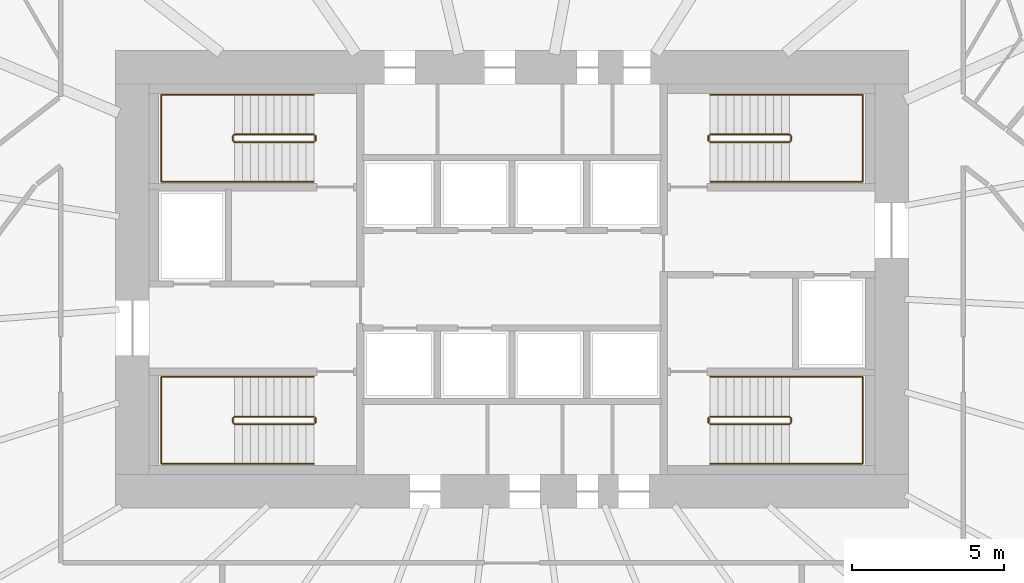
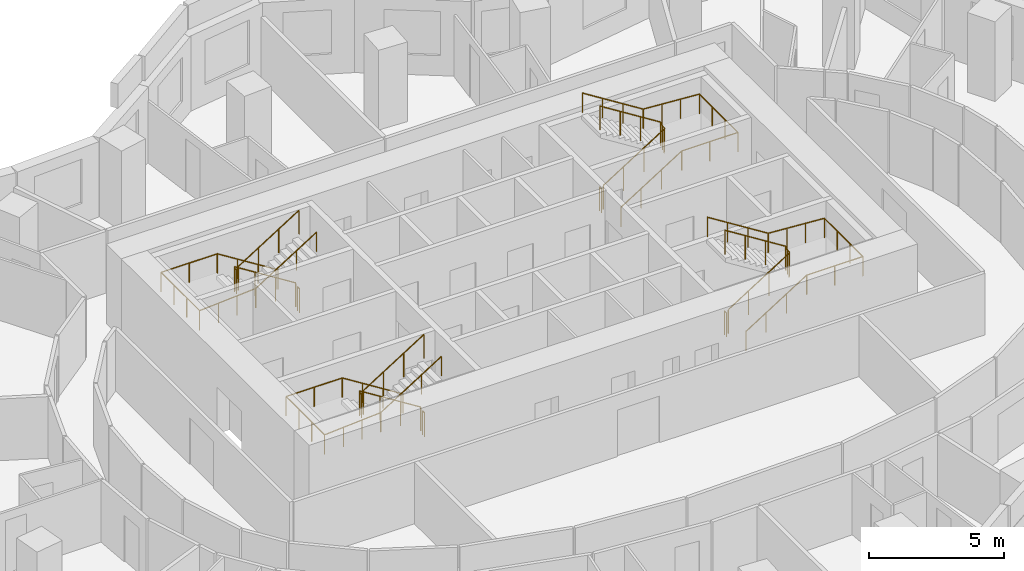
# One storey, part 11 of 11: 12 railings.
"""IFC4 building model written with IfcOpenShell, lengths in metres."""

from ifc_helpers import new_model, si_unit, direction, frame, origin, origin_2d, place, context, subcontext, project, spatial, circle, extrude, material, type_object, element, save


model = new_model("IFC4")

# Units and contexts
model_context = context("Model", 3, precision=1e-05, world=origin(), true_north=direction((0.0, 1.0)))
body_context = subcontext(model_context, "Body", "Model", "MODEL_VIEW")
ifc_project = project(units=[si_unit("LENGTHUNIT", "METRE"), si_unit("AREAUNIT", "SQUARE_METRE"), si_unit("VOLUMEUNIT", "CUBIC_METRE"), si_unit("PLANEANGLEUNIT", "RADIAN"), si_unit("MASSUNIT", "GRAM", prefix="KILO")], contexts=[model_context])

# Site, building, storey
site_placement = place(None, origin())
site = spatial("IfcSite", under=ifc_project, at=site_placement, CompositionType="ELEMENT")
building_placement = place(site_placement, origin())
building = spatial("IfcBuilding", under=site, at=building_placement, Name="Rubra Terraces Tower", CompositionType="ELEMENT")
storey_placement = place(building_placement, frame((0.0, 0.0, 99.60009765625)))
storey = spatial("IfcBuildingStorey", under=building, at=storey_placement, Name="L23", CompositionType="ELEMENT", Elevation=99.60009765625)

# Railings
ifc_material = material(Name="Stainless steel", Category="steel")
railing_type_1 = type_object("IfcRailingType", Name="Core stair guard 1100", PredefinedType="GUARDRAIL", material=ifc_material)
railing_1_placement = place(storey_placement, frame((-6.5, 0.0, 0.16357421875)))
element("IfcRailing", 1, at=railing_1_placement, inside=storey, type_object=railing_type_1, Name="L23 stair S1 guard 1", PredefinedType="GUARDRAIL", context=body_context, shape_type="SweptSolid", body=[
    extrude(circle(Radius=0.02392578125, at=origin_2d()), frame((0.0, 0.0, 1.076171875), z_axis=(-0.846360218416, 0.0, 0.532610909279), x_axis=(0.0, -1.0, 0.0)), (0.0, 0.0, 1.0), 3.072021484375),
    extrude(circle(Radius=0.02392578125, at=origin_2d()), frame((-2.60009765625, 0.0, 2.71240234375), z_axis=(-0.705375805398, -0.708833529934, 0.0), x_axis=(0.708833529934, -0.705375805398, 0.0)), (0.0, 0.0, 1.0), 0.070556640625),
    extrude(circle(Radius=0.02392578125, at=origin_2d()), frame((-2.64990234375, -0.050048828125, 2.71240234375), z_axis=(0.0, -1.0, 0.0), x_axis=(1.0, 0.0, 0.0)), (0.0, 0.0, 1.0), 0.14990234375),
    extrude(circle(Radius=0.02392578125, at=origin_2d()), frame((-2.64990234375, -0.199951171875, 2.71240234375), z_axis=(0.279194930351, -0.280563532951, 0.91833234444), x_axis=(0.708833529934, 0.705375805398, 0.0)), (0.0, 0.0, 1.0), 0.178466796875),
    extrude(circle(Radius=0.02392578125, at=origin_2d()), frame((-2.60009765625, -0.25, 2.8759765625), z_axis=(0.846360218416, 0.0, 0.532610909279), x_axis=(0.0, 1.0, 0.0)), (0.0, 0.0, 1.0), 3.072021484375),
    extrude(circle(Radius=0.02099609375, at=origin_2d()), origin(), (0.0, 0.0, 1.0), 1.052001953125),
    extrude(circle(Radius=0.02099609375, at=origin_2d()), frame((-0.86669921875, 0.0, 0.54541015625)), (0.0, 0.0, 1.0), 1.052001953125),
    extrude(circle(Radius=0.02099609375, at=origin_2d()), frame((-1.7333984375, 0.0, 1.0908203125)), (0.0, 0.0, 1.0), 1.052001953125),
    extrude(circle(Radius=0.02099609375, at=origin_2d()), frame((-2.60009765625, 0.0, 1.63623046875)), (0.0, 0.0, 1.0), 1.052001953125),
    extrude(circle(Radius=0.02099609375, at=origin_2d()), frame((-2.64990234375, -0.050048828125, 1.63623046875)), (0.0, 0.0, 1.0), 1.052001953125),
    extrude(circle(Radius=0.02099609375, at=origin_2d()), frame((-2.64990234375, -0.199951171875, 1.63623046875)), (0.0, 0.0, 1.0), 1.052001953125),
    extrude(circle(Radius=0.02099609375, at=origin_2d()), frame((-2.60009765625, -0.25, 1.800048828125)), (0.0, 0.0, 1.0), 1.052001953125),
    extrude(circle(Radius=0.02099609375, at=origin_2d()), frame((-1.7333984375, -0.25, 2.345458984375)), (0.0, 0.0, 1.0), 1.052001953125),
    extrude(circle(Radius=0.02099609375, at=origin_2d()), frame((-0.86669921875, -0.25, 2.890869140625)), (0.0, 0.0, 1.0), 1.052001953125),
    extrude(circle(Radius=0.02099609375, at=origin_2d()), frame((0.0, -0.25, 3.436279296875)), (0.0, 0.0, 1.0), 1.052001953125),
])
railing_2_placement = place(storey_placement, frame((-6.449951171875, -0.050048828125, 0.0)))
element("IfcRailing", 2, at=railing_2_placement, inside=storey, type_object=railing_type_1, Name="L23 stair S1 guard 2", PredefinedType="GUARDRAIL", context=body_context, shape_type="SweptSolid", body=[
    extrude(circle(Radius=0.02392578125, at=origin_2d()), frame((0.0, 0.0, 1.076171875), z_axis=(0.0, -1.0, 0.0), x_axis=(1.0, 0.0, 0.0)), (0.0, 0.0, 1.0), 0.14990234375),
    extrude(circle(Radius=0.02099609375, at=origin_2d()), origin(), (0.0, 0.0, 1.0), 1.052001953125),
    extrude(circle(Radius=0.02099609375, at=origin_2d()), frame((0.0, -0.14990234375, 0.0)), (0.0, 0.0, 1.0), 1.052001953125),
])
railing_3_placement = place(storey_placement, frame((-6.5, 9.25, 0.16357421875)))
element("IfcRailing", 3, at=railing_3_placement, inside=storey, type_object=railing_type_1, Name="L23 stair S2 guard 1", PredefinedType="GUARDRAIL", context=body_context, shape_type="SweptSolid", body=[
    extrude(circle(Radius=0.02392578125, at=origin_2d()), frame((0.0, 0.0, 1.076171875), z_axis=(-0.846360218416, 0.0, 0.532610909279), x_axis=(0.0, -1.0, 0.0)), (0.0, 0.0, 1.0), 3.072021484375),
    extrude(circle(Radius=0.02392578125, at=origin_2d()), frame((-2.60009765625, 0.0, 2.71240234375), z_axis=(-0.705375805398, -0.708833529934, 0.0), x_axis=(0.708833529934, -0.705375805398, 0.0)), (0.0, 0.0, 1.0), 0.070556640625),
    extrude(circle(Radius=0.02392578125, at=origin_2d()), frame((-2.64990234375, -0.050048828125, 2.71240234375), z_axis=(0.0, -1.0, 0.0), x_axis=(1.0, 0.0, 0.0)), (0.0, 0.0, 1.0), 0.14990234375),
    extrude(circle(Radius=0.02392578125, at=origin_2d()), frame((-2.64990234375, -0.199951171875, 2.71240234375), z_axis=(0.279194930351, -0.280563532951, 0.91833234444), x_axis=(0.708833529934, 0.705375805398, 0.0)), (0.0, 0.0, 1.0), 0.178466796875),
    extrude(circle(Radius=0.02392578125, at=origin_2d()), frame((-2.60009765625, -0.25, 2.8759765625), z_axis=(0.846360218416, 0.0, 0.532610909279), x_axis=(0.0, 1.0, 0.0)), (0.0, 0.0, 1.0), 3.072021484375),
    extrude(circle(Radius=0.02099609375, at=origin_2d()), origin(), (0.0, 0.0, 1.0), 1.052001953125),
    extrude(circle(Radius=0.02099609375, at=origin_2d()), frame((-0.86669921875, 0.0, 0.54541015625)), (0.0, 0.0, 1.0), 1.052001953125),
    extrude(circle(Radius=0.02099609375, at=origin_2d()), frame((-1.7333984375, 0.0, 1.0908203125)), (0.0, 0.0, 1.0), 1.052001953125),
    extrude(circle(Radius=0.02099609375, at=origin_2d()), frame((-2.60009765625, 0.0, 1.63623046875)), (0.0, 0.0, 1.0), 1.052001953125),
    extrude(circle(Radius=0.02099609375, at=origin_2d()), frame((-2.64990234375, -0.050048828125, 1.63623046875)), (0.0, 0.0, 1.0), 1.052001953125),
    extrude(circle(Radius=0.02099609375, at=origin_2d()), frame((-2.64990234375, -0.199951171875, 1.63623046875)), (0.0, 0.0, 1.0), 1.052001953125),
    extrude(circle(Radius=0.02099609375, at=origin_2d()), frame((-2.60009765625, -0.25, 1.800048828125)), (0.0, 0.0, 1.0), 1.052001953125),
    extrude(circle(Radius=0.02099609375, at=origin_2d()), frame((-1.7333984375, -0.25, 2.345458984375)), (0.0, 0.0, 1.0), 1.052001953125),
    extrude(circle(Radius=0.02099609375, at=origin_2d()), frame((-0.86669921875, -0.25, 2.890869140625)), (0.0, 0.0, 1.0), 1.052001953125),
    extrude(circle(Radius=0.02099609375, at=origin_2d()), frame((0.0, -0.25, 3.436279296875)), (0.0, 0.0, 1.0), 1.052001953125),
])
railing_4_placement = place(storey_placement, frame((-6.449951171875, 9.199951171875, 0.0)))
element("IfcRailing", 4, at=railing_4_placement, inside=storey, type_object=railing_type_1, Name="L23 stair S2 guard 2", PredefinedType="GUARDRAIL", context=body_context, shape_type="SweptSolid", body=[
    extrude(circle(Radius=0.02392578125, at=origin_2d()), frame((0.0, 0.0, 1.076171875), z_axis=(0.0, -1.0, 0.0), x_axis=(1.0, 0.0, 0.0)), (0.0, 0.0, 1.0), 0.14990234375),
    extrude(circle(Radius=0.02099609375, at=origin_2d()), origin(), (0.0, 0.0, 1.0), 1.052001953125),
    extrude(circle(Radius=0.02099609375, at=origin_2d()), frame((0.0, -0.14990234375, 0.0)), (0.0, 0.0, 1.0), 1.052001953125),
])
railing_5_placement = place(storey_placement, frame((6.5, 9.0, 0.16357421875)))
element("IfcRailing", 5, at=railing_5_placement, inside=storey, type_object=railing_type_1, Name="L23 stair S3 guard 1", PredefinedType="GUARDRAIL", context=body_context, shape_type="SweptSolid", body=[
    extrude(circle(Radius=0.02392578125, at=origin_2d()), frame((0.0, 0.0, 1.076171875), z_axis=(0.846360218416, 0.0, 0.532610909279), x_axis=(0.0, 1.0, 0.0)), (0.0, 0.0, 1.0), 3.072021484375),
    extrude(circle(Radius=0.02392578125, at=origin_2d()), frame((2.60009765625, 0.0, 2.71240234375), z_axis=(0.705375805398, 0.708833529934, 0.0), x_axis=(-0.708833529934, 0.705375805398, 0.0)), (0.0, 0.0, 1.0), 0.070556640625),
    extrude(circle(Radius=0.02392578125, at=origin_2d()), frame((2.64990234375, 0.050048828125, 2.71240234375), z_axis=(0.0, 1.0, 0.0), x_axis=(-1.0, 0.0, 0.0)), (0.0, 0.0, 1.0), 0.14990234375),
    extrude(circle(Radius=0.02392578125, at=origin_2d()), frame((2.64990234375, 0.199951171875, 2.71240234375), z_axis=(-0.279194930351, 0.280563532951, 0.91833234444), x_axis=(-0.708833529934, -0.705375805398, 0.0)), (0.0, 0.0, 1.0), 0.178466796875),
    extrude(circle(Radius=0.02392578125, at=origin_2d()), frame((2.60009765625, 0.25, 2.8759765625), z_axis=(-0.846360218416, 0.0, 0.532610909279), x_axis=(0.0, -1.0, 0.0)), (0.0, 0.0, 1.0), 3.072021484375),
    extrude(circle(Radius=0.02099609375, at=origin_2d()), origin(), (0.0, 0.0, 1.0), 1.052001953125),
    extrude(circle(Radius=0.02099609375, at=origin_2d()), frame((0.86669921875, 0.0, 0.54541015625)), (0.0, 0.0, 1.0), 1.052001953125),
    extrude(circle(Radius=0.02099609375, at=origin_2d()), frame((1.7333984375, 0.0, 1.0908203125)), (0.0, 0.0, 1.0), 1.052001953125),
    extrude(circle(Radius=0.02099609375, at=origin_2d()), frame((2.60009765625, 0.0, 1.63623046875)), (0.0, 0.0, 1.0), 1.052001953125),
    extrude(circle(Radius=0.02099609375, at=origin_2d()), frame((2.64990234375, 0.050048828125, 1.63623046875)), (0.0, 0.0, 1.0), 1.052001953125),
    extrude(circle(Radius=0.02099609375, at=origin_2d()), frame((2.64990234375, 0.199951171875, 1.63623046875)), (0.0, 0.0, 1.0), 1.052001953125),
    extrude(circle(Radius=0.02099609375, at=origin_2d()), frame((2.60009765625, 0.25, 1.800048828125)), (0.0, 0.0, 1.0), 1.052001953125),
    extrude(circle(Radius=0.02099609375, at=origin_2d()), frame((1.7333984375, 0.25, 2.345458984375)), (0.0, 0.0, 1.0), 1.052001953125),
    extrude(circle(Radius=0.02099609375, at=origin_2d()), frame((0.86669921875, 0.25, 2.890869140625)), (0.0, 0.0, 1.0), 1.052001953125),
    extrude(circle(Radius=0.02099609375, at=origin_2d()), frame((0.0, 0.25, 3.436279296875)), (0.0, 0.0, 1.0), 1.052001953125),
])
railing_6_placement = place(storey_placement, frame((6.449951171875, 9.050048828125, 0.0)))
element("IfcRailing", 6, at=railing_6_placement, inside=storey, type_object=railing_type_1, Name="L23 stair S3 guard 2", PredefinedType="GUARDRAIL", context=body_context, shape_type="SweptSolid", body=[
    extrude(circle(Radius=0.02392578125, at=origin_2d()), frame((0.0, 0.0, 1.076171875), z_axis=(0.0, 1.0, 0.0), x_axis=(-1.0, 0.0, 0.0)), (0.0, 0.0, 1.0), 0.14990234375),
    extrude(circle(Radius=0.02099609375, at=origin_2d()), origin(), (0.0, 0.0, 1.0), 1.052001953125),
    extrude(circle(Radius=0.02099609375, at=origin_2d()), frame((0.0, 0.14990234375, 0.0)), (0.0, 0.0, 1.0), 1.052001953125),
])
railing_7_placement = place(storey_placement, frame((6.5, -0.25, 0.16357421875)))
element("IfcRailing", 7, at=railing_7_placement, inside=storey, type_object=railing_type_1, Name="L23 stair S4 guard 1", PredefinedType="GUARDRAIL", context=body_context, shape_type="SweptSolid", body=[
    extrude(circle(Radius=0.02392578125, at=origin_2d()), frame((0.0, 0.0, 1.076171875), z_axis=(0.846360218416, 0.0, 0.532610909279), x_axis=(0.0, 1.0, 0.0)), (0.0, 0.0, 1.0), 3.072021484375),
    extrude(circle(Radius=0.02392578125, at=origin_2d()), frame((2.60009765625, 0.0, 2.71240234375), z_axis=(0.705375805398, 0.708833529934, 0.0), x_axis=(-0.708833529934, 0.705375805398, 0.0)), (0.0, 0.0, 1.0), 0.070556640625),
    extrude(circle(Radius=0.02392578125, at=origin_2d()), frame((2.64990234375, 0.050048828125, 2.71240234375), z_axis=(0.0, 1.0, 0.0), x_axis=(-1.0, 0.0, 0.0)), (0.0, 0.0, 1.0), 0.14990234375),
    extrude(circle(Radius=0.02392578125, at=origin_2d()), frame((2.64990234375, 0.199951171875, 2.71240234375), z_axis=(-0.279194930351, 0.280563532951, 0.91833234444), x_axis=(-0.708833529934, -0.705375805398, 0.0)), (0.0, 0.0, 1.0), 0.178466796875),
    extrude(circle(Radius=0.02392578125, at=origin_2d()), frame((2.60009765625, 0.25, 2.8759765625), z_axis=(-0.846360218416, 0.0, 0.532610909279), x_axis=(0.0, -1.0, 0.0)), (0.0, 0.0, 1.0), 3.072021484375),
    extrude(circle(Radius=0.02099609375, at=origin_2d()), origin(), (0.0, 0.0, 1.0), 1.052001953125),
    extrude(circle(Radius=0.02099609375, at=origin_2d()), frame((0.86669921875, 0.0, 0.54541015625)), (0.0, 0.0, 1.0), 1.052001953125),
    extrude(circle(Radius=0.02099609375, at=origin_2d()), frame((1.7333984375, 0.0, 1.0908203125)), (0.0, 0.0, 1.0), 1.052001953125),
    extrude(circle(Radius=0.02099609375, at=origin_2d()), frame((2.60009765625, 0.0, 1.63623046875)), (0.0, 0.0, 1.0), 1.052001953125),
    extrude(circle(Radius=0.02099609375, at=origin_2d()), frame((2.64990234375, 0.050048828125, 1.63623046875)), (0.0, 0.0, 1.0), 1.052001953125),
    extrude(circle(Radius=0.02099609375, at=origin_2d()), frame((2.64990234375, 0.199951171875, 1.63623046875)), (0.0, 0.0, 1.0), 1.052001953125),
    extrude(circle(Radius=0.02099609375, at=origin_2d()), frame((2.60009765625, 0.25, 1.800048828125)), (0.0, 0.0, 1.0), 1.052001953125),
    extrude(circle(Radius=0.02099609375, at=origin_2d()), frame((1.7333984375, 0.25, 2.345458984375)), (0.0, 0.0, 1.0), 1.052001953125),
    extrude(circle(Radius=0.02099609375, at=origin_2d()), frame((0.86669921875, 0.25, 2.890869140625)), (0.0, 0.0, 1.0), 1.052001953125),
    extrude(circle(Radius=0.02099609375, at=origin_2d()), frame((0.0, 0.25, 3.436279296875)), (0.0, 0.0, 1.0), 1.052001953125),
])
railing_8_placement = place(storey_placement, frame((6.449951171875, -0.199951171875, 0.0)))
element("IfcRailing", 8, at=railing_8_placement, inside=storey, type_object=railing_type_1, Name="L23 stair S4 guard 2", PredefinedType="GUARDRAIL", context=body_context, shape_type="SweptSolid", body=[
    extrude(circle(Radius=0.02392578125, at=origin_2d()), frame((0.0, 0.0, 1.076171875), z_axis=(0.0, 1.0, 0.0), x_axis=(-1.0, 0.0, 0.0)), (0.0, 0.0, 1.0), 0.14990234375),
    extrude(circle(Radius=0.02099609375, at=origin_2d()), origin(), (0.0, 0.0, 1.0), 1.052001953125),
    extrude(circle(Radius=0.02099609375, at=origin_2d()), frame((0.0, 0.14990234375, 0.0)), (0.0, 0.0, 1.0), 1.052001953125),
])
railing_type_2 = type_object("IfcRailingType", Name="Core stair handrail 900", PredefinedType="HANDRAIL", material=ifc_material)
railing_9_placement = place(storey_placement, frame((-6.5, 1.300048828125, 0.16357421875)))
element("IfcRailing", 9, at=railing_9_placement, inside=storey, type_object=railing_type_2, Name="L23 stair S1 handrail 1", PredefinedType="HANDRAIL", context=body_context, shape_type="SweptSolid", body=[
    extrude(circle(Radius=0.02392578125, at=origin_2d()), frame((0.0, 0.0, 0.8759765625), z_axis=(-0.846360218416, 0.0, 0.532610909279), x_axis=(0.0, -1.0, 0.0)), (0.0, 0.0, 1.0), 3.072021484375),
    extrude(circle(Radius=0.02392578125, at=origin_2d()), frame((-2.60009765625, 0.0, 2.51220703125), z_axis=(-1.0, 0.0, 0.0), x_axis=(0.0, -1.0, 0.0)), (0.0, 0.0, 1.0), 2.39990234375),
    extrude(circle(Radius=0.02392578125, at=origin_2d()), frame((-5.0, 0.0, 2.51220703125), z_axis=(0.0, -1.0, 0.0), x_axis=(1.0, 0.0, 0.0)), (0.0, 0.0, 1.0), 2.85009765625),
    extrude(circle(Radius=0.02392578125, at=origin_2d()), frame((-5.0, -2.85009765625, 2.51220703125), z_axis=(0.997678367104, 0.0, 0.06810195161), x_axis=(0.0, 1.0, 0.0)), (0.0, 0.0, 1.0), 2.405517578125),
    extrude(circle(Radius=0.02392578125, at=origin_2d()), frame((-2.60009765625, -2.85009765625, 2.67578125), z_axis=(0.846360218416, 0.0, 0.532610909279), x_axis=(0.0, 1.0, 0.0)), (0.0, 0.0, 1.0), 3.072021484375),
    extrude(circle(Radius=0.02099609375, at=origin_2d()), origin(), (0.0, 0.0, 1.0), 0.851806640625),
    extrude(circle(Radius=0.02099609375, at=origin_2d()), frame((-0.86669921875, 0.0, 0.54541015625)), (0.0, 0.0, 1.0), 0.851806640625),
    extrude(circle(Radius=0.02099609375, at=origin_2d()), frame((-1.7333984375, 0.0, 1.0908203125)), (0.0, 0.0, 1.0), 0.851806640625),
    extrude(circle(Radius=0.02099609375, at=origin_2d()), frame((-2.60009765625, 0.0, 1.63623046875)), (0.0, 0.0, 1.0), 0.851806640625),
    extrude(circle(Radius=0.02099609375, at=origin_2d()), frame((-3.800048828125, 0.0, 1.63623046875)), (0.0, 0.0, 1.0), 0.851806640625),
    extrude(circle(Radius=0.02099609375, at=origin_2d()), frame((-5.0, 0.0, 1.63623046875)), (0.0, 0.0, 1.0), 0.851806640625),
    extrude(circle(Radius=0.02099609375, at=origin_2d()), frame((-5.0, -0.949951171875, 1.63623046875)), (0.0, 0.0, 1.0), 0.851806640625),
    extrude(circle(Radius=0.02099609375, at=origin_2d()), frame((-5.0, -1.900146484375, 1.63623046875)), (0.0, 0.0, 1.0), 0.851806640625),
    extrude(circle(Radius=0.02099609375, at=origin_2d()), frame((-5.0, -2.85009765625, 1.63623046875)), (0.0, 0.0, 1.0), 0.851806640625),
    extrude(circle(Radius=0.02099609375, at=origin_2d()), frame((-4.199951171875, -2.85009765625, 1.69091796875)), (0.0, 0.0, 1.0), 0.851806640625),
    extrude(circle(Radius=0.02099609375, at=origin_2d()), frame((-3.400146484375, -2.85009765625, 1.745361328125)), (0.0, 0.0, 1.0), 0.851806640625),
    extrude(circle(Radius=0.02099609375, at=origin_2d()), frame((-2.60009765625, -2.85009765625, 1.800048828125)), (0.0, 0.0, 1.0), 0.851806640625),
    extrude(circle(Radius=0.02099609375, at=origin_2d()), frame((-1.7333984375, -2.85009765625, 2.345458984375)), (0.0, 0.0, 1.0), 0.851806640625),
    extrude(circle(Radius=0.02099609375, at=origin_2d()), frame((-0.86669921875, -2.85009765625, 2.890869140625)), (0.0, 0.0, 1.0), 0.851806640625),
    extrude(circle(Radius=0.02099609375, at=origin_2d()), frame((0.0, -2.85009765625, 3.436279296875)), (0.0, 0.0, 1.0), 0.851806640625),
])
railing_10_placement = place(storey_placement, frame((-6.5, 10.550048828125, 0.16357421875)))
element("IfcRailing", 10, at=railing_10_placement, inside=storey, type_object=railing_type_2, Name="L23 stair S2 handrail 1", PredefinedType="HANDRAIL", context=body_context, shape_type="SweptSolid", body=[
    extrude(circle(Radius=0.02392578125, at=origin_2d()), frame((0.0, 0.0, 0.8759765625), z_axis=(-0.846360218416, 0.0, 0.532610909279), x_axis=(0.0, -1.0, 0.0)), (0.0, 0.0, 1.0), 3.072021484375),
    extrude(circle(Radius=0.02392578125, at=origin_2d()), frame((-2.60009765625, 0.0, 2.51220703125), z_axis=(-1.0, 0.0, 0.0), x_axis=(0.0, -1.0, 0.0)), (0.0, 0.0, 1.0), 2.39990234375),
    extrude(circle(Radius=0.02392578125, at=origin_2d()), frame((-5.0, 0.0, 2.51220703125), z_axis=(0.0, -1.0, 0.0), x_axis=(1.0, 0.0, 0.0)), (0.0, 0.0, 1.0), 2.85009765625),
    extrude(circle(Radius=0.02392578125, at=origin_2d()), frame((-5.0, -2.85009765625, 2.51220703125), z_axis=(0.997678367104, 0.0, 0.06810195161), x_axis=(0.0, 1.0, 0.0)), (0.0, 0.0, 1.0), 2.405517578125),
    extrude(circle(Radius=0.02392578125, at=origin_2d()), frame((-2.60009765625, -2.85009765625, 2.67578125), z_axis=(0.846360218416, 0.0, 0.532610909279), x_axis=(0.0, 1.0, 0.0)), (0.0, 0.0, 1.0), 3.072021484375),
    extrude(circle(Radius=0.02099609375, at=origin_2d()), origin(), (0.0, 0.0, 1.0), 0.851806640625),
    extrude(circle(Radius=0.02099609375, at=origin_2d()), frame((-0.86669921875, 0.0, 0.54541015625)), (0.0, 0.0, 1.0), 0.851806640625),
    extrude(circle(Radius=0.02099609375, at=origin_2d()), frame((-1.7333984375, 0.0, 1.0908203125)), (0.0, 0.0, 1.0), 0.851806640625),
    extrude(circle(Radius=0.02099609375, at=origin_2d()), frame((-2.60009765625, 0.0, 1.63623046875)), (0.0, 0.0, 1.0), 0.851806640625),
    extrude(circle(Radius=0.02099609375, at=origin_2d()), frame((-3.800048828125, 0.0, 1.63623046875)), (0.0, 0.0, 1.0), 0.851806640625),
    extrude(circle(Radius=0.02099609375, at=origin_2d()), frame((-5.0, 0.0, 1.63623046875)), (0.0, 0.0, 1.0), 0.851806640625),
    extrude(circle(Radius=0.02099609375, at=origin_2d()), frame((-5.0, -0.949951171875, 1.63623046875)), (0.0, 0.0, 1.0), 0.851806640625),
    extrude(circle(Radius=0.02099609375, at=origin_2d()), frame((-5.0, -1.900146484375, 1.63623046875)), (0.0, 0.0, 1.0), 0.851806640625),
    extrude(circle(Radius=0.02099609375, at=origin_2d()), frame((-5.0, -2.85009765625, 1.63623046875)), (0.0, 0.0, 1.0), 0.851806640625),
    extrude(circle(Radius=0.02099609375, at=origin_2d()), frame((-4.199951171875, -2.85009765625, 1.69091796875)), (0.0, 0.0, 1.0), 0.851806640625),
    extrude(circle(Radius=0.02099609375, at=origin_2d()), frame((-3.400146484375, -2.85009765625, 1.745361328125)), (0.0, 0.0, 1.0), 0.851806640625),
    extrude(circle(Radius=0.02099609375, at=origin_2d()), frame((-2.60009765625, -2.85009765625, 1.800048828125)), (0.0, 0.0, 1.0), 0.851806640625),
    extrude(circle(Radius=0.02099609375, at=origin_2d()), frame((-1.7333984375, -2.85009765625, 2.345458984375)), (0.0, 0.0, 1.0), 0.851806640625),
    extrude(circle(Radius=0.02099609375, at=origin_2d()), frame((-0.86669921875, -2.85009765625, 2.890869140625)), (0.0, 0.0, 1.0), 0.851806640625),
    extrude(circle(Radius=0.02099609375, at=origin_2d()), frame((0.0, -2.85009765625, 3.436279296875)), (0.0, 0.0, 1.0), 0.851806640625),
])
railing_11_placement = place(storey_placement, frame((6.5, 7.699951171875, 0.16357421875)))
element("IfcRailing", 11, at=railing_11_placement, inside=storey, type_object=railing_type_2, Name="L23 stair S3 handrail 1", PredefinedType="HANDRAIL", context=body_context, shape_type="SweptSolid", body=[
    extrude(circle(Radius=0.02392578125, at=origin_2d()), frame((0.0, 0.0, 0.8759765625), z_axis=(0.846360218416, 0.0, 0.532610909279), x_axis=(0.0, 1.0, 0.0)), (0.0, 0.0, 1.0), 3.072021484375),
    extrude(circle(Radius=0.02392578125, at=origin_2d()), frame((2.60009765625, 0.0, 2.51220703125), z_axis=(1.0, 0.0, 0.0), x_axis=(0.0, 1.0, 0.0)), (0.0, 0.0, 1.0), 2.39990234375),
    extrude(circle(Radius=0.02392578125, at=origin_2d()), frame((5.0, 0.0, 2.51220703125), z_axis=(0.0, 1.0, 0.0), x_axis=(-1.0, 0.0, 0.0)), (0.0, 0.0, 1.0), 2.85009765625),
    extrude(circle(Radius=0.02392578125, at=origin_2d()), frame((5.0, 2.85009765625, 2.51220703125), z_axis=(-0.997678367104, 0.0, 0.06810195161), x_axis=(0.0, -1.0, 0.0)), (0.0, 0.0, 1.0), 2.405517578125),
    extrude(circle(Radius=0.02392578125, at=origin_2d()), frame((2.60009765625, 2.85009765625, 2.67578125), z_axis=(-0.846360218416, 0.0, 0.532610909279), x_axis=(0.0, -1.0, 0.0)), (0.0, 0.0, 1.0), 3.072021484375),
    extrude(circle(Radius=0.02099609375, at=origin_2d()), origin(), (0.0, 0.0, 1.0), 0.851806640625),
    extrude(circle(Radius=0.02099609375, at=origin_2d()), frame((0.86669921875, 0.0, 0.54541015625)), (0.0, 0.0, 1.0), 0.851806640625),
    extrude(circle(Radius=0.02099609375, at=origin_2d()), frame((1.7333984375, 0.0, 1.0908203125)), (0.0, 0.0, 1.0), 0.851806640625),
    extrude(circle(Radius=0.02099609375, at=origin_2d()), frame((2.60009765625, 0.0, 1.63623046875)), (0.0, 0.0, 1.0), 0.851806640625),
    extrude(circle(Radius=0.02099609375, at=origin_2d()), frame((3.800048828125, 0.0, 1.63623046875)), (0.0, 0.0, 1.0), 0.851806640625),
    extrude(circle(Radius=0.02099609375, at=origin_2d()), frame((5.0, 0.0, 1.63623046875)), (0.0, 0.0, 1.0), 0.851806640625),
    extrude(circle(Radius=0.02099609375, at=origin_2d()), frame((5.0, 0.949951171875, 1.63623046875)), (0.0, 0.0, 1.0), 0.851806640625),
    extrude(circle(Radius=0.02099609375, at=origin_2d()), frame((5.0, 1.900146484375, 1.63623046875)), (0.0, 0.0, 1.0), 0.851806640625),
    extrude(circle(Radius=0.02099609375, at=origin_2d()), frame((5.0, 2.85009765625, 1.63623046875)), (0.0, 0.0, 1.0), 0.851806640625),
    extrude(circle(Radius=0.02099609375, at=origin_2d()), frame((4.199951171875, 2.85009765625, 1.69091796875)), (0.0, 0.0, 1.0), 0.851806640625),
    extrude(circle(Radius=0.02099609375, at=origin_2d()), frame((3.400146484375, 2.85009765625, 1.745361328125)), (0.0, 0.0, 1.0), 0.851806640625),
    extrude(circle(Radius=0.02099609375, at=origin_2d()), frame((2.60009765625, 2.85009765625, 1.800048828125)), (0.0, 0.0, 1.0), 0.851806640625),
    extrude(circle(Radius=0.02099609375, at=origin_2d()), frame((1.7333984375, 2.85009765625, 2.345458984375)), (0.0, 0.0, 1.0), 0.851806640625),
    extrude(circle(Radius=0.02099609375, at=origin_2d()), frame((0.86669921875, 2.85009765625, 2.890869140625)), (0.0, 0.0, 1.0), 0.851806640625),
    extrude(circle(Radius=0.02099609375, at=origin_2d()), frame((0.0, 2.85009765625, 3.436279296875)), (0.0, 0.0, 1.0), 0.851806640625),
])
railing_12_placement = place(storey_placement, frame((6.5, -1.550048828125, 0.16357421875)))
element("IfcRailing", 12, at=railing_12_placement, inside=storey, type_object=railing_type_2, Name="L23 stair S4 handrail 1", PredefinedType="HANDRAIL", context=body_context, shape_type="SweptSolid", body=[
    extrude(circle(Radius=0.02392578125, at=origin_2d()), frame((0.0, 0.0, 0.8759765625), z_axis=(0.846360218416, 0.0, 0.532610909279), x_axis=(0.0, 1.0, 0.0)), (0.0, 0.0, 1.0), 3.072021484375),
    extrude(circle(Radius=0.02392578125, at=origin_2d()), frame((2.60009765625, 0.0, 2.51220703125), z_axis=(1.0, 0.0, 0.0), x_axis=(0.0, 1.0, 0.0)), (0.0, 0.0, 1.0), 2.39990234375),
    extrude(circle(Radius=0.02392578125, at=origin_2d()), frame((5.0, 0.0, 2.51220703125), z_axis=(0.0, 1.0, 0.0), x_axis=(-1.0, 0.0, 0.0)), (0.0, 0.0, 1.0), 2.85009765625),
    extrude(circle(Radius=0.02392578125, at=origin_2d()), frame((5.0, 2.85009765625, 2.51220703125), z_axis=(-0.997678367104, 0.0, 0.06810195161), x_axis=(0.0, -1.0, 0.0)), (0.0, 0.0, 1.0), 2.405517578125),
    extrude(circle(Radius=0.02392578125, at=origin_2d()), frame((2.60009765625, 2.85009765625, 2.67578125), z_axis=(-0.846360218416, 0.0, 0.532610909279), x_axis=(0.0, -1.0, 0.0)), (0.0, 0.0, 1.0), 3.072021484375),
    extrude(circle(Radius=0.02099609375, at=origin_2d()), origin(), (0.0, 0.0, 1.0), 0.851806640625),
    extrude(circle(Radius=0.02099609375, at=origin_2d()), frame((0.86669921875, 0.0, 0.54541015625)), (0.0, 0.0, 1.0), 0.851806640625),
    extrude(circle(Radius=0.02099609375, at=origin_2d()), frame((1.7333984375, 0.0, 1.0908203125)), (0.0, 0.0, 1.0), 0.851806640625),
    extrude(circle(Radius=0.02099609375, at=origin_2d()), frame((2.60009765625, 0.0, 1.63623046875)), (0.0, 0.0, 1.0), 0.851806640625),
    extrude(circle(Radius=0.02099609375, at=origin_2d()), frame((3.800048828125, 0.0, 1.63623046875)), (0.0, 0.0, 1.0), 0.851806640625),
    extrude(circle(Radius=0.02099609375, at=origin_2d()), frame((5.0, 0.0, 1.63623046875)), (0.0, 0.0, 1.0), 0.851806640625),
    extrude(circle(Radius=0.02099609375, at=origin_2d()), frame((5.0, 0.949951171875, 1.63623046875)), (0.0, 0.0, 1.0), 0.851806640625),
    extrude(circle(Radius=0.02099609375, at=origin_2d()), frame((5.0, 1.900146484375, 1.63623046875)), (0.0, 0.0, 1.0), 0.851806640625),
    extrude(circle(Radius=0.02099609375, at=origin_2d()), frame((5.0, 2.85009765625, 1.63623046875)), (0.0, 0.0, 1.0), 0.851806640625),
    extrude(circle(Radius=0.02099609375, at=origin_2d()), frame((4.199951171875, 2.85009765625, 1.69091796875)), (0.0, 0.0, 1.0), 0.851806640625),
    extrude(circle(Radius=0.02099609375, at=origin_2d()), frame((3.400146484375, 2.85009765625, 1.745361328125)), (0.0, 0.0, 1.0), 0.851806640625),
    extrude(circle(Radius=0.02099609375, at=origin_2d()), frame((2.60009765625, 2.85009765625, 1.800048828125)), (0.0, 0.0, 1.0), 0.851806640625),
    extrude(circle(Radius=0.02099609375, at=origin_2d()), frame((1.7333984375, 2.85009765625, 2.345458984375)), (0.0, 0.0, 1.0), 0.851806640625),
    extrude(circle(Radius=0.02099609375, at=origin_2d()), frame((0.86669921875, 2.85009765625, 2.890869140625)), (0.0, 0.0, 1.0), 0.851806640625),
    extrude(circle(Radius=0.02099609375, at=origin_2d()), frame((0.0, 2.85009765625, 3.436279296875)), (0.0, 0.0, 1.0), 0.851806640625),
])

save(model, "model.ifc")
